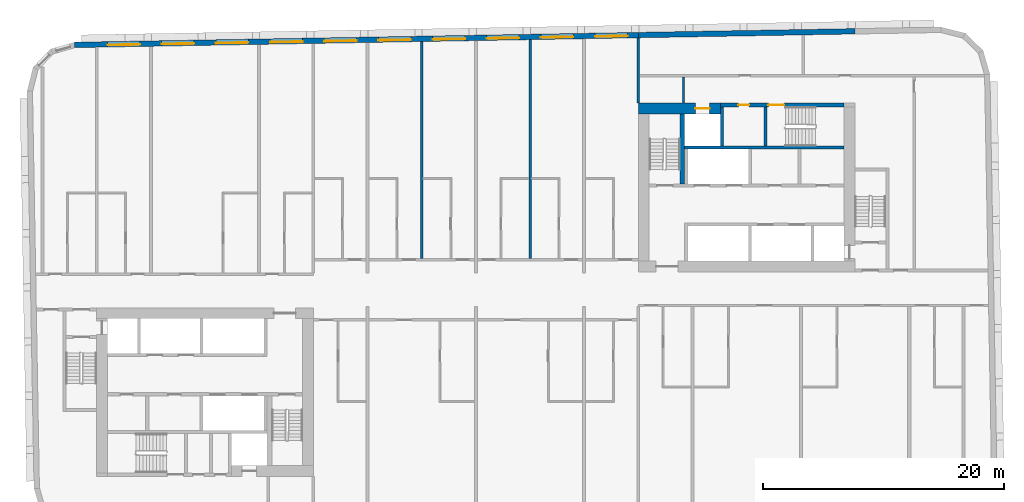
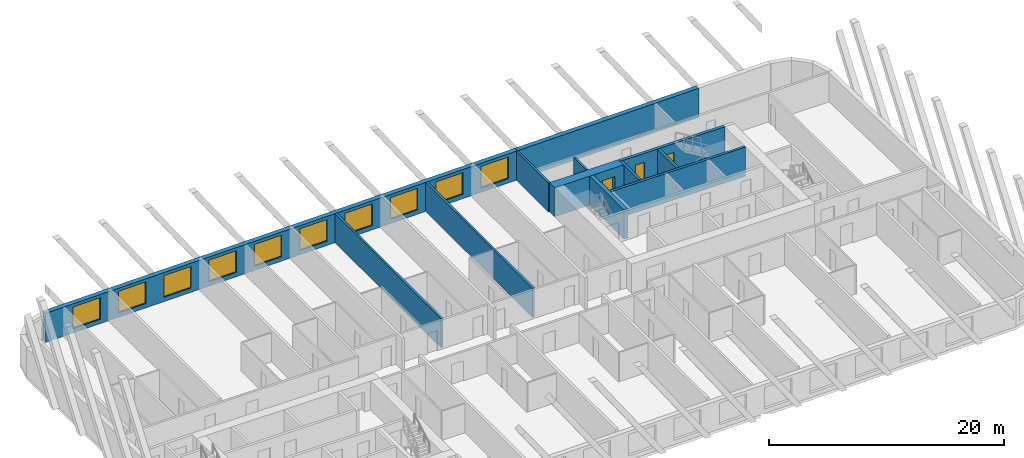
# One storey, part 6 of 12: 12 walls, 10 windows, 3 doors, 13 openings.
"""IFC4 building model written with IfcOpenShell, lengths in metres."""

from ifc_helpers import new_model, si_unit, direction, frame, frame_2d, origin, place, context, subcontext, project, spatial, rectangle, extrude, material, layer, layer_set, type_object, element, fill, save


model = new_model("IFC4")

# Units and contexts
model_context = context("Model", 3, precision=1e-05, world=origin(), true_north=direction((0.0, 1.0)))
body_context = subcontext(model_context, "Body", "Model", "MODEL_VIEW")
ifc_project = project(units=[si_unit("LENGTHUNIT", "METRE"), si_unit("AREAUNIT", "SQUARE_METRE"), si_unit("VOLUMEUNIT", "CUBIC_METRE"), si_unit("PLANEANGLEUNIT", "RADIAN"), si_unit("MASSUNIT", "GRAM", prefix="KILO")], contexts=[model_context])

# Site, building, storey
site_placement = place(None, origin())
site = spatial("IfcSite", under=ifc_project, at=site_placement, CompositionType="ELEMENT")
building_placement = place(site_placement, origin())
building = spatial("IfcBuilding", under=site, at=building_placement, Name="Kajstack Hotel Tower", CompositionType="ELEMENT")
storey_placement = place(building_placement, frame((0.0, 0.0, 217.699951171875)))
storey = spatial("IfcBuildingStorey", under=building, at=storey_placement, Name="L52", CompositionType="ELEMENT", Elevation=217.699951171875)

# Wall, opening, door
ifc_material_1 = material(Name="Concrete C60/75", Category="concrete")
ifc_layer_1 = layer(ifc_material_1, 0.89990234375)
ifc_layer_set_1 = layer_set([ifc_layer_1], Name="Core wall 900")
wall_type_1 = type_object("IfcWallType", Name="Core wall 900", PredefinedType="SHEAR", material=ifc_layer_set_1)
wall_1_placement = place(storey_placement, frame((13.5, 15.050048828125, 0.0), z_axis=(0.0, 0.0, 1.0), x_axis=(1.0, 0.0, 0.0)))
wall_1 = element("IfcWall", 1, at=wall_1_placement, inside=storey, type_object=wall_type_1, Name="Core wall E RS", PredefinedType="SHEAR", context=body_context, shape_type="SweptSolid", body=[
    extrude(rectangle(XDim=6.800048828125, YDim=0.89990234375, at=frame_2d((3.39990234375, 0.0))), origin(), (0.0, 0.0, 1.0), 3.02001953125),
])
opening_1_placement = place(wall_1_placement, frame((4.72509765625, 0.0, 0.0)))
opening_1 = element("IfcOpeningElement", 2, at=opening_1_placement, cuts=wall_1, Name="Opening LD-SV2", PredefinedType="OPENING", context=body_context, shape_type="SweptSolid", body=[
    extrude(rectangle(XDim=1.199951171875, YDim=2.10009765625, at=frame_2d((0.60009765625, 1.050048828125))), frame((0.0, 0.4599609375, 0.0), z_axis=(0.0, -1.0, 0.0), x_axis=(1.0, 0.0, 0.0)), (0.0, 0.0, 1.0), 0.919921875),
])
ifc_material_2 = material(Name="Stainless steel", Category="steel")
door_type_1 = type_object("IfcDoorType", Name="Lift landing door 1200", OperationType="SLIDING_TO_LEFT", PredefinedType="DOOR", material=ifc_material_2)
door_1_placement = place(opening_1_placement, origin())
door_1 = element("IfcDoor", 3, at=door_1_placement, inside=storey, type_object=door_type_1, Name="Landing door SV2", OperationType="SLIDING_TO_LEFT", OverallHeight=2.10009765625, OverallWidth=1.199951171875, PredefinedType="DOOR", context=body_context, shape_type="SweptSolid", body=[
    extrude(rectangle(XDim=1.199951171875, YDim=2.10009765625, at=frame_2d((0.60009765625, 1.050048828125))), frame((0.0, 0.02490234375, 0.0), z_axis=(0.0, -1.0, 0.0), x_axis=(1.0, 0.0, 0.0)), (0.0, 0.0, 1.0), 0.050048828125),
])
fill(opening_1, door_1)

# Walls
ifc_material_3 = material(Name="Twin-frame gypsum board on steel studs, mineral wool", Category="steel")
ifc_layer_2 = layer(ifc_material_3, 0.199951171875)
ifc_layer_set_2 = layer_set([ifc_layer_2], Name="Demising wall 200")
wall_type_2 = type_object("IfcWallType", Name="Demising wall 200", PredefinedType="PARTITIONING", material=ifc_layer_set_2)
wall_2_placement = place(storey_placement, frame((13.5, 15.5, 0.0), z_axis=(0.0, 0.0, 1.0), x_axis=(0.0, 1.0, 0.0)))
element("IfcWall", 4, at=wall_2_placement, inside=storey, type_object=wall_type_2, Name="G-wall-L52-001", PredefinedType="PARTITIONING", context=body_context, shape_type="SweptSolid", body=[
    extrude(rectangle(XDim=5.43603515625, YDim=0.199951171875, at=frame_2d((2.718017578125, 0.0))), origin(), (0.0, 0.0, 1.0), 3.02001953125),
])
wall_3_placement = place(storey_placement, frame((-4.5, 2.60009765625, 0.0), z_axis=(0.0, 0.0, 1.0), x_axis=(0.0, 1.0, 0.0)))
element("IfcWall", 5, at=wall_3_placement, inside=storey, type_object=wall_type_2, Name="G-wall-L52-017", PredefinedType="PARTITIONING", context=body_context, shape_type="SweptSolid", body=[
    extrude(rectangle(XDim=18.02197265625, YDim=0.199951171875, at=frame_2d((9.010986328125, 0.0))), origin(), (0.0, 0.0, 1.0), 3.02001953125),
])
wall_4_placement = place(storey_placement, frame((4.5, 2.60009765625, 0.0), z_axis=(0.0, 0.0, 1.0), x_axis=(0.0, 1.0, 0.0)))
element("IfcWall", 6, at=wall_4_placement, inside=storey, type_object=wall_type_2, Name="G-wall-L52-022", PredefinedType="PARTITIONING", context=body_context, shape_type="SweptSolid", body=[
    extrude(rectangle(XDim=18.178955078125, YDim=0.199951171875, at=frame_2d((9.08935546875, 0.0))), origin(), (0.0, 0.0, 1.0), 3.02001953125),
])
ifc_material_4 = material(Name="Concrete C40/50", Category="concrete")
ifc_layer_3 = layer(ifc_material_4, 0.449951171875)
ifc_layer_set_3 = layer_set([ifc_layer_3], Name="EW-CORE")
wall_type_3 = type_object("IfcWallType", Name="EW-CORE", PredefinedType="SOLIDWALL", material=ifc_layer_set_3)
wall_5_placement = place(storey_placement, frame((31.50390625, 21.4755859375, 0.0), z_axis=(0.0, 0.0, 1.0), x_axis=(-0.999847677887, -0.017453395744, 0.0)))
element("IfcWall", 7, at=wall_5_placement, inside=storey, type_object=wall_type_3, Name="E-wall-L52-12-01", PredefinedType="SOLIDWALL", context=body_context, shape_type="SweptSolid", body=[
    extrude(rectangle(XDim=18.002685546875, YDim=0.449951171875, at=frame_2d((9.00146484375, 0.0))), origin(), (0.0, 0.0, 1.0), 3.02001953125),
])

# Wall, openings, windows
ifc_material_5 = material(Name="Terracotta-faced brick masonry", Category="masonry")
ifc_layer_4 = layer(ifc_material_5, 0.449951171875)
ifc_layer_set_4 = layer_set([ifc_layer_4], Name="EW-TERRA")
wall_type_4 = type_object("IfcWallType", Name="EW-TERRA", PredefinedType="SOLIDWALL", material=ifc_layer_set_4)
wall_6_placement = place(storey_placement, frame((13.50390625, 21.161376953125, 0.0), z_axis=(0.0, 0.0, 1.0), x_axis=(-0.999847763257, -0.017448504532, 0.0)))
wall_6 = element("IfcWall", 8, at=wall_6_placement, inside=storey, type_object=wall_type_4, Name="E-wall-L52-12-02", PredefinedType="SOLIDWALL", context=body_context, shape_type="SweptSolid", body=[
    extrude(rectangle(XDim=46.859375, YDim=0.449951171875, at=frame_2d((23.4296875, 0.0))), origin(), (0.0, 0.0, 1.0), 3.02001953125),
])
opening_2_placement = place(wall_6_placement, frame((0.900390625, 0.0, 0.449951171875)))
opening_2 = element("IfcOpeningElement", 9, at=opening_2_placement, cuts=wall_6, Name="Opening W1", PredefinedType="OPENING", context=body_context, shape_type="SweptSolid", body=[
    extrude(rectangle(XDim=2.699951171875, YDim=2.25, at=frame_2d((1.35009765625, 1.125))), frame((0.0, 0.23486328125, 0.0), z_axis=(0.0, -1.0, 0.0), x_axis=(1.0, 0.0, 0.0)), (0.0, 0.0, 1.0), 0.469970703125),
])
opening_3_placement = place(wall_6_placement, frame((5.401123046875, 0.0, 0.449951171875)))
opening_3 = element("IfcOpeningElement", 10, at=opening_3_placement, cuts=wall_6, Name="Opening W1", PredefinedType="OPENING", context=body_context, shape_type="SweptSolid", body=[
    extrude(rectangle(XDim=2.699951171875, YDim=2.25, at=frame_2d((1.35009765625, 1.125))), frame((0.0, 0.23486328125, 0.0), z_axis=(0.0, -1.0, 0.0), x_axis=(1.0, 0.0, 0.0)), (0.0, 0.0, 1.0), 0.469970703125),
])
opening_4_placement = place(wall_6_placement, frame((9.90185546875, 0.0, 0.449951171875)))
opening_4 = element("IfcOpeningElement", 11, at=opening_4_placement, cuts=wall_6, Name="Opening W1", PredefinedType="OPENING", context=body_context, shape_type="SweptSolid", body=[
    extrude(rectangle(XDim=2.699951171875, YDim=2.25, at=frame_2d((1.35009765625, 1.125))), frame((0.0, 0.23486328125, 0.0), z_axis=(0.0, -1.0, 0.0), x_axis=(1.0, 0.0, 0.0)), (0.0, 0.0, 1.0), 0.469970703125),
])
opening_5_placement = place(wall_6_placement, frame((14.40234375, 0.0, 0.449951171875)))
opening_5 = element("IfcOpeningElement", 12, at=opening_5_placement, cuts=wall_6, Name="Opening W1", PredefinedType="OPENING", context=body_context, shape_type="SweptSolid", body=[
    extrude(rectangle(XDim=2.699951171875, YDim=2.25, at=frame_2d((1.35009765625, 1.125))), frame((0.0, 0.23486328125, 0.0), z_axis=(0.0, -1.0, 0.0), x_axis=(1.0, 0.0, 0.0)), (0.0, 0.0, 1.0), 0.469970703125),
])
opening_6_placement = place(wall_6_placement, frame((18.9033203125, 0.0, 0.449951171875)))
opening_6 = element("IfcOpeningElement", 13, at=opening_6_placement, cuts=wall_6, Name="Opening W1", PredefinedType="OPENING", context=body_context, shape_type="SweptSolid", body=[
    extrude(rectangle(XDim=2.699951171875, YDim=2.25, at=frame_2d((1.35009765625, 1.125))), frame((0.0, 0.23486328125, 0.0), z_axis=(0.0, -1.0, 0.0), x_axis=(1.0, 0.0, 0.0)), (0.0, 0.0, 1.0), 0.469970703125),
])
opening_7_placement = place(wall_6_placement, frame((23.40380859375, 0.0, 0.449951171875)))
opening_7 = element("IfcOpeningElement", 14, at=opening_7_placement, cuts=wall_6, Name="Opening W1", PredefinedType="OPENING", context=body_context, shape_type="SweptSolid", body=[
    extrude(rectangle(XDim=2.699951171875, YDim=2.25, at=frame_2d((1.35009765625, 1.125))), frame((0.0, 0.23486328125, 0.0), z_axis=(0.0, -1.0, 0.0), x_axis=(1.0, 0.0, 0.0)), (0.0, 0.0, 1.0), 0.469970703125),
])
opening_8_placement = place(wall_6_placement, frame((27.904296875, 0.0, 0.449951171875)))
opening_8 = element("IfcOpeningElement", 15, at=opening_8_placement, cuts=wall_6, Name="Opening W1", PredefinedType="OPENING", context=body_context, shape_type="SweptSolid", body=[
    extrude(rectangle(XDim=2.699951171875, YDim=2.25, at=frame_2d((1.35009765625, 1.125))), frame((0.0, 0.23486328125, 0.0), z_axis=(0.0, -1.0, 0.0), x_axis=(1.0, 0.0, 0.0)), (0.0, 0.0, 1.0), 0.469970703125),
])
opening_9_placement = place(wall_6_placement, frame((32.4052734375, 0.0, 0.449951171875)))
opening_9 = element("IfcOpeningElement", 16, at=opening_9_placement, cuts=wall_6, Name="Opening W1", PredefinedType="OPENING", context=body_context, shape_type="SweptSolid", body=[
    extrude(rectangle(XDim=2.699951171875, YDim=2.25, at=frame_2d((1.35009765625, 1.125))), frame((0.0, 0.23486328125, 0.0), z_axis=(0.0, -1.0, 0.0), x_axis=(1.0, 0.0, 0.0)), (0.0, 0.0, 1.0), 0.469970703125),
])
opening_10_placement = place(wall_6_placement, frame((36.906005859375, 0.0, 0.449951171875)))
opening_10 = element("IfcOpeningElement", 17, at=opening_10_placement, cuts=wall_6, Name="Opening W1", PredefinedType="OPENING", context=body_context, shape_type="SweptSolid", body=[
    extrude(rectangle(XDim=2.699951171875, YDim=2.25, at=frame_2d((1.35009765625, 1.125))), frame((0.0, 0.23486328125, 0.0), z_axis=(0.0, -1.0, 0.0), x_axis=(1.0, 0.0, 0.0)), (0.0, 0.0, 1.0), 0.469970703125),
])
opening_11_placement = place(wall_6_placement, frame((41.406494140625, 0.0, 0.449951171875)))
opening_11 = element("IfcOpeningElement", 18, at=opening_11_placement, cuts=wall_6, Name="Opening W1", PredefinedType="OPENING", context=body_context, shape_type="SweptSolid", body=[
    extrude(rectangle(XDim=2.699951171875, YDim=2.25, at=frame_2d((1.35009765625, 1.125))), frame((0.0, 0.23486328125, 0.0), z_axis=(0.0, -1.0, 0.0), x_axis=(1.0, 0.0, 0.0)), (0.0, 0.0, 1.0), 0.469970703125),
])
ifc_material_6 = material(Name="Timber-aluminium window, triple glazed", Category="wood")
window_type = type_object("IfcWindowType", Name="WG1", PartitioningType="SINGLE_PANEL", PredefinedType="WINDOW", material=ifc_material_6)
window_1_placement = place(opening_2_placement, origin())
window_1 = element("IfcWindow", 19, at=window_1_placement, inside=storey, type_object=window_type, Name="Window W1 L52-12", OverallHeight=2.25, OverallWidth=2.699951171875, PartitioningType="SINGLE_PANEL", PredefinedType="WINDOW", context=body_context, shape_type="SweptSolid", body=[
    extrude(rectangle(XDim=2.699951171875, YDim=2.25, at=frame_2d((1.35009765625, 1.125))), frame((0.0, 0.090087890625, 0.0), z_axis=(0.0, -1.0, 0.0), x_axis=(1.0, 0.0, 0.0)), (0.0, 0.0, 1.0), 0.06005859375),
])
fill(opening_2, window_1)
window_2_placement = place(opening_3_placement, origin())
window_2 = element("IfcWindow", 20, at=window_2_placement, inside=storey, type_object=window_type, Name="Window W1 L52-12", OverallHeight=2.25, OverallWidth=2.699951171875, PartitioningType="SINGLE_PANEL", PredefinedType="WINDOW", context=body_context, shape_type="SweptSolid", body=[
    extrude(rectangle(XDim=2.699951171875, YDim=2.25, at=frame_2d((1.35009765625, 1.125))), frame((0.0, 0.090087890625, 0.0), z_axis=(0.0, -1.0, 0.0), x_axis=(1.0, 0.0, 0.0)), (0.0, 0.0, 1.0), 0.06005859375),
])
fill(opening_3, window_2)
window_3_placement = place(opening_4_placement, origin())
window_3 = element("IfcWindow", 21, at=window_3_placement, inside=storey, type_object=window_type, Name="Window W1 L52-12", OverallHeight=2.25, OverallWidth=2.699951171875, PartitioningType="SINGLE_PANEL", PredefinedType="WINDOW", context=body_context, shape_type="SweptSolid", body=[
    extrude(rectangle(XDim=2.699951171875, YDim=2.25, at=frame_2d((1.35009765625, 1.125))), frame((0.0, 0.090087890625, 0.0), z_axis=(0.0, -1.0, 0.0), x_axis=(1.0, 0.0, 0.0)), (0.0, 0.0, 1.0), 0.06005859375),
])
fill(opening_4, window_3)
window_4_placement = place(opening_5_placement, origin())
window_4 = element("IfcWindow", 22, at=window_4_placement, inside=storey, type_object=window_type, Name="Window W1 L52-12", OverallHeight=2.25, OverallWidth=2.699951171875, PartitioningType="SINGLE_PANEL", PredefinedType="WINDOW", context=body_context, shape_type="SweptSolid", body=[
    extrude(rectangle(XDim=2.699951171875, YDim=2.25, at=frame_2d((1.35009765625, 1.125))), frame((0.0, 0.090087890625, 0.0), z_axis=(0.0, -1.0, 0.0), x_axis=(1.0, 0.0, 0.0)), (0.0, 0.0, 1.0), 0.06005859375),
])
fill(opening_5, window_4)
window_5_placement = place(opening_6_placement, origin())
window_5 = element("IfcWindow", 23, at=window_5_placement, inside=storey, type_object=window_type, Name="Window W1 L52-12", OverallHeight=2.25, OverallWidth=2.699951171875, PartitioningType="SINGLE_PANEL", PredefinedType="WINDOW", context=body_context, shape_type="SweptSolid", body=[
    extrude(rectangle(XDim=2.699951171875, YDim=2.25, at=frame_2d((1.35009765625, 1.125))), frame((0.0, 0.090087890625, 0.0), z_axis=(0.0, -1.0, 0.0), x_axis=(1.0, 0.0, 0.0)), (0.0, 0.0, 1.0), 0.06005859375),
])
fill(opening_6, window_5)
window_6_placement = place(opening_7_placement, origin())
window_6 = element("IfcWindow", 24, at=window_6_placement, inside=storey, type_object=window_type, Name="Window W1 L52-12", OverallHeight=2.25, OverallWidth=2.699951171875, PartitioningType="SINGLE_PANEL", PredefinedType="WINDOW", context=body_context, shape_type="SweptSolid", body=[
    extrude(rectangle(XDim=2.699951171875, YDim=2.25, at=frame_2d((1.35009765625, 1.125))), frame((0.0, 0.090087890625, 0.0), z_axis=(0.0, -1.0, 0.0), x_axis=(1.0, 0.0, 0.0)), (0.0, 0.0, 1.0), 0.06005859375),
])
fill(opening_7, window_6)
window_7_placement = place(opening_8_placement, origin())
window_7 = element("IfcWindow", 25, at=window_7_placement, inside=storey, type_object=window_type, Name="Window W1 L52-12", OverallHeight=2.25, OverallWidth=2.699951171875, PartitioningType="SINGLE_PANEL", PredefinedType="WINDOW", context=body_context, shape_type="SweptSolid", body=[
    extrude(rectangle(XDim=2.699951171875, YDim=2.25, at=frame_2d((1.35009765625, 1.125))), frame((0.0, 0.090087890625, 0.0), z_axis=(0.0, -1.0, 0.0), x_axis=(1.0, 0.0, 0.0)), (0.0, 0.0, 1.0), 0.06005859375),
])
fill(opening_8, window_7)
window_8_placement = place(opening_9_placement, origin())
window_8 = element("IfcWindow", 26, at=window_8_placement, inside=storey, type_object=window_type, Name="Window W1 L52-12", OverallHeight=2.25, OverallWidth=2.699951171875, PartitioningType="SINGLE_PANEL", PredefinedType="WINDOW", context=body_context, shape_type="SweptSolid", body=[
    extrude(rectangle(XDim=2.699951171875, YDim=2.25, at=frame_2d((1.35009765625, 1.125))), frame((0.0, 0.090087890625, 0.0), z_axis=(0.0, -1.0, 0.0), x_axis=(1.0, 0.0, 0.0)), (0.0, 0.0, 1.0), 0.06005859375),
])
fill(opening_9, window_8)
window_9_placement = place(opening_10_placement, origin())
window_9 = element("IfcWindow", 27, at=window_9_placement, inside=storey, type_object=window_type, Name="Window W1 L52-12", OverallHeight=2.25, OverallWidth=2.699951171875, PartitioningType="SINGLE_PANEL", PredefinedType="WINDOW", context=body_context, shape_type="SweptSolid", body=[
    extrude(rectangle(XDim=2.699951171875, YDim=2.25, at=frame_2d((1.35009765625, 1.125))), frame((0.0, 0.090087890625, 0.0), z_axis=(0.0, -1.0, 0.0), x_axis=(1.0, 0.0, 0.0)), (0.0, 0.0, 1.0), 0.06005859375),
])
fill(opening_10, window_9)
window_10_placement = place(opening_11_placement, origin())
window_10 = element("IfcWindow", 28, at=window_10_placement, inside=storey, type_object=window_type, Name="Window W1 L52-12", OverallHeight=2.25, OverallWidth=2.699951171875, PartitioningType="SINGLE_PANEL", PredefinedType="WINDOW", context=body_context, shape_type="SweptSolid", body=[
    extrude(rectangle(XDim=2.699951171875, YDim=2.25, at=frame_2d((1.35009765625, 1.125))), frame((0.0, 0.090087890625, 0.0), z_axis=(0.0, -1.0, 0.0), x_axis=(1.0, 0.0, 0.0)), (0.0, 0.0, 1.0), 0.06005859375),
])
fill(opening_11, window_10)

# Wall
ifc_material_7 = material(Name="Gypsum board on steel studs, mineral wool", Category="steel")
ifc_layer_5 = layer(ifc_material_7, 0.199951171875)
ifc_layer_set_5 = layer_set([ifc_layer_5], Name="Service partition 200")
wall_type_5 = type_object("IfcWallType", Name="Service partition 200", PredefinedType="PARTITIONING", material=ifc_layer_set_5)
wall_7_placement = place(storey_placement, frame((17.25, 15.5, 0.0), z_axis=(0.0, 0.0, 1.0), x_axis=(0.0, 1.0, 0.0)))
element("IfcWall", 29, at=wall_7_placement, inside=storey, type_object=wall_type_5, Name="Partition E SCE", PredefinedType="PARTITIONING", context=body_context, shape_type="SweptSolid", body=[
    extrude(rectangle(XDim=2.199951171875, YDim=0.199951171875, at=frame_2d((1.10009765625, 0.0))), origin(), (0.0, 0.0, 1.0), 3.02001953125),
])

# Wall, openings, doors
ifc_material_8 = material(Name="Concrete C50/60", Category="concrete")
ifc_layer_6 = layer(ifc_material_8, 0.25)
ifc_layer_set_6 = layer_set([ifc_layer_6], Name="Shaft wall 250")
wall_type_6 = type_object("IfcWallType", Name="Shaft wall 250", PredefinedType="SHEAR", material=ifc_layer_set_6)
wall_8_placement = place(storey_placement, frame((20.300048828125, 15.35009765625, 0.0), z_axis=(0.0, 0.0, 1.0), x_axis=(1.0, 0.0, 0.0)))
wall_8 = element("IfcWall", 30, at=wall_8_placement, inside=storey, type_object=wall_type_6, Name="Core wall E RSS", PredefinedType="SHEAR", context=body_context, shape_type="SweptSolid", body=[
    extrude(rectangle(XDim=10.300048828125, YDim=0.300048828125, at=frame_2d((5.14990234375, 0.0))), origin(), (0.0, 0.0, 1.0), 3.02001953125),
])
opening_12_placement = place(wall_8_placement, frame((4.0, 0.0, 0.0)))
opening_12 = element("IfcOpeningElement", 31, at=opening_12_placement, cuts=wall_8, Name="Opening 52E12", PredefinedType="OPENING", context=body_context, shape_type="SweptSolid", body=[
    extrude(rectangle(XDim=1.300048828125, YDim=2.10009765625, at=frame_2d((0.64990234375, 1.050048828125))), frame((0.0, 0.159912109375, 0.0), z_axis=(0.0, -1.0, 0.0), x_axis=(1.0, 0.0, 0.0)), (0.0, 0.0, 1.0), 0.320068359375),
])
opening_13_placement = place(wall_8_placement, frame((1.5, 0.0, 0.0)))
opening_13 = element("IfcOpeningElement", 32, at=opening_13_placement, cuts=wall_8, Name="Opening 52E13", PredefinedType="OPENING", context=body_context, shape_type="SweptSolid", body=[
    extrude(rectangle(XDim=0.89990234375, YDim=2.10009765625, at=frame_2d((0.449951171875, 1.050048828125))), frame((0.0, 0.159912109375, 0.0), z_axis=(0.0, -1.0, 0.0), x_axis=(1.0, 0.0, 0.0)), (0.0, 0.0, 1.0), 0.320068359375),
])
ifc_material_9 = material(Name="Timber leaf, fire-rated", Category="wood")
door_type_2 = type_object("IfcDoorType", Name="Service door 900", OperationType="SINGLE_SWING_LEFT", PredefinedType="DOOR", material=ifc_material_9)
door_2_placement = place(opening_13_placement, origin())
door_2 = element("IfcDoor", 33, at=door_2_placement, inside=storey, type_object=door_type_2, Name="Door 52E13", OperationType="SINGLE_SWING_RIGHT", OverallHeight=2.10009765625, OverallWidth=0.89990234375, PredefinedType="DOOR", context=body_context, shape_type="SweptSolid", body=[
    extrude(rectangle(XDim=0.89990234375, YDim=2.10009765625, at=frame_2d((0.449951171875, 1.050048828125))), frame((0.0, 0.02490234375, 0.0), z_axis=(0.0, -1.0, 0.0), x_axis=(1.0, 0.0, 0.0)), (0.0, 0.0, 1.0), 0.050048828125),
])
fill(opening_13, door_2)
ifc_material_10 = material(Name="Steel leaf, fire-rated", Category="steel")
door_type_3 = type_object("IfcDoorType", Name="Stair door 1300", OperationType="SINGLE_SWING_LEFT", PredefinedType="DOOR", material=ifc_material_10)
door_3_placement = place(opening_12_placement, origin())
door_3 = element("IfcDoor", 34, at=door_3_placement, inside=storey, type_object=door_type_3, Name="Door 52E12", OperationType="SINGLE_SWING_LEFT", OverallHeight=2.10009765625, OverallWidth=1.300048828125, PredefinedType="DOOR", context=body_context, shape_type="SweptSolid", body=[
    extrude(rectangle(XDim=1.300048828125, YDim=2.10009765625, at=frame_2d((0.64990234375, 1.050048828125))), frame((0.0, 0.02490234375, 0.0), z_axis=(0.0, -1.0, 0.0), x_axis=(1.0, 0.0, 0.0)), (0.0, 0.0, 1.0), 0.050048828125),
])
fill(opening_12, door_3)

# Walls
wall_9_placement = place(storey_placement, frame((17.35009765625, 11.824951171875, 0.0), z_axis=(0.0, 0.0, 1.0), x_axis=(1.0, 0.0, 0.0)))
element("IfcWall", 35, at=wall_9_placement, inside=storey, type_object=wall_type_6, Name="Core wall E RB", PredefinedType="SHEAR", context=body_context, shape_type="SweptSolid", body=[
    extrude(rectangle(XDim=13.25, YDim=0.25, at=frame_2d((6.625, 0.0))), origin(), (0.0, 0.0, 1.0), 3.02001953125),
])
wall_10_placement = place(storey_placement, frame((20.425048828125, 11.949951171875, 0.0), z_axis=(0.0, 0.0, 1.0), x_axis=(0.0, 1.0, 0.0)))
element("IfcWall", 36, at=wall_10_placement, inside=storey, type_object=wall_type_6, Name="Core wall E SVW", PredefinedType="SHEAR", context=body_context, shape_type="SweptSolid", body=[
    extrude(rectangle(XDim=3.25, YDim=0.25, at=frame_2d((1.625, 0.0))), origin(), (0.0, 0.0, 1.0), 3.02001953125),
])
ifc_layer_7 = layer(ifc_material_8, 0.35009765625)
ifc_layer_set_7 = layer_set([ifc_layer_7], Name="Stair enclosure wall 350")
wall_type_7 = type_object("IfcWallType", Name="Stair enclosure wall 350", PredefinedType="SHEAR", material=ifc_layer_set_7)
wall_11_placement = place(storey_placement, frame((24.074951171875, 11.949951171875, 0.0), z_axis=(0.0, 0.0, 1.0), x_axis=(0.0, 1.0, 0.0)))
element("IfcWall", 37, at=wall_11_placement, inside=storey, type_object=wall_type_7, Name="Core wall E W3E", PredefinedType="SHEAR", context=body_context, shape_type="SweptSolid", body=[
    extrude(rectangle(XDim=3.25, YDim=0.25, at=frame_2d((1.625, 0.0))), origin(), (0.0, 0.0, 1.0), 3.02001953125),
])
ifc_layer_8 = layer(ifc_material_8, 0.39990234375)
ifc_layer_set_8 = layer_set([ifc_layer_8], Name="Stair wall 400")
wall_type_8 = type_object("IfcWallType", Name="Stair wall 400", PredefinedType="SHEAR", material=ifc_layer_set_8)
wall_12_placement = place(storey_placement, frame((17.14990234375, 8.800048828125, 0.0), z_axis=(0.0, 0.0, 1.0), x_axis=(0.0, 1.0, 0.0)))
element("IfcWall", 38, at=wall_12_placement, inside=storey, type_object=wall_type_8, Name="Core wall E WW2", PredefinedType="SHEAR", context=body_context, shape_type="SweptSolid", body=[
    extrude(rectangle(XDim=5.800048828125, YDim=0.39990234375, at=frame_2d((2.89990234375, 0.0))), origin(), (0.0, 0.0, 1.0), 3.02001953125),
])

save(model, "model.ifc")
